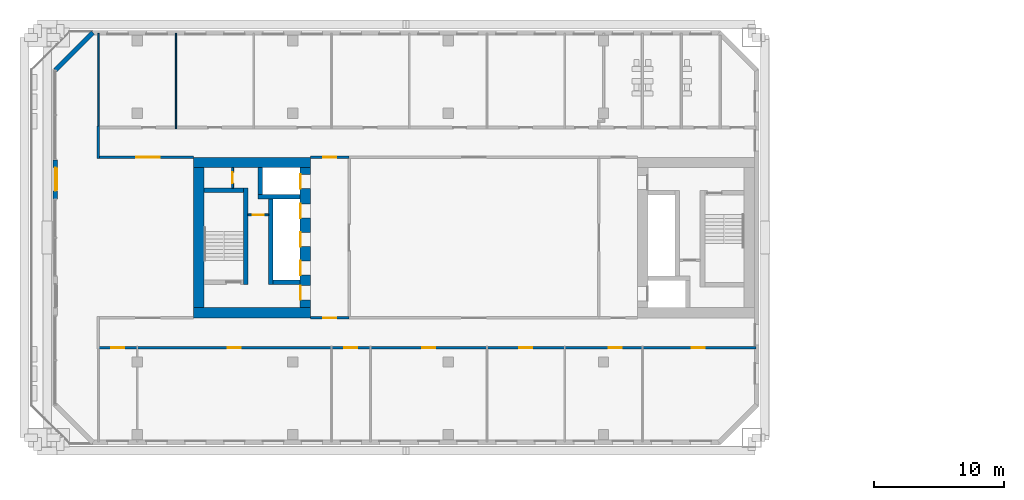
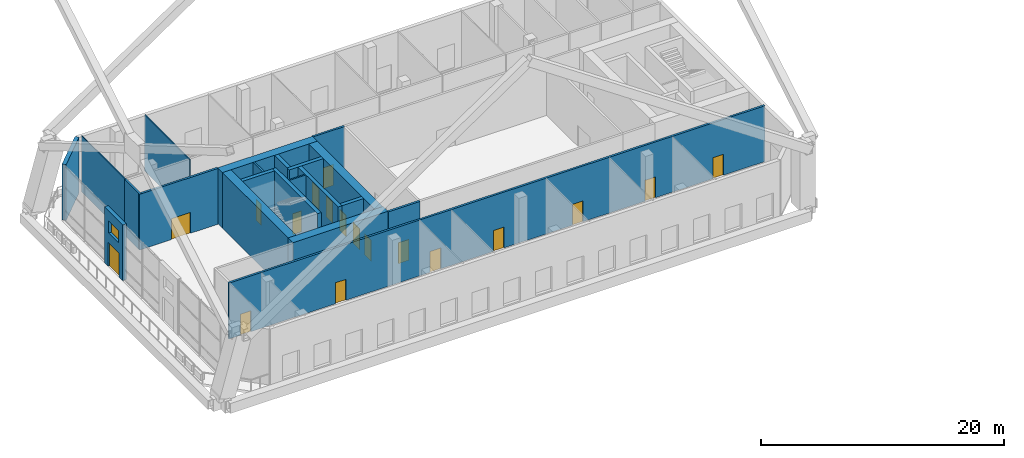
# One storey, part 10 of 20: 21 walls, 18 doors, 1 window, 19 openings.
"""IFC4 building model written with IfcOpenShell, lengths in metres."""

from ifc_helpers import new_model, si_unit, direction, frame, frame_2d, origin, place, context, subcontext, project, spatial, rectangle, extrude, material, layer, layer_set, type_object, element, fill, save


model = new_model("IFC4")

# Units and contexts
model_context = context("Model", 3, precision=1e-05, world=origin(), true_north=direction((0.0, 1.0)))
body_context = subcontext(model_context, "Body", "Model", "MODEL_VIEW")
ifc_project = project(units=[si_unit("LENGTHUNIT", "METRE"), si_unit("AREAUNIT", "SQUARE_METRE"), si_unit("VOLUMEUNIT", "CUBIC_METRE"), si_unit("PLANEANGLEUNIT", "RADIAN"), si_unit("MASSUNIT", "GRAM", prefix="KILO")], contexts=[model_context])

# Site, building, storey
site_placement = place(None, origin())
site = spatial("IfcSite", under=ifc_project, at=site_placement, CompositionType="ELEMENT")
building_placement = place(site_placement, origin())
building = spatial("IfcBuilding", under=site, at=building_placement, Name="Tuart Gate Housing", CompositionType="ELEMENT")
storey_placement = place(building_placement, frame((0.0, 0.0, 38.10009765625)))
storey = spatial("IfcBuildingStorey", under=building, at=storey_placement, Name="L10", CompositionType="ELEMENT", Elevation=38.10009765625)

# Wall
ifc_material_1 = material(Name="Brick", Category="masonry")
ifc_layer_1 = layer(ifc_material_1, 0.360107421875)
ifc_layer_set_1 = layer_set([ifc_layer_1], Name="Brick pier and spandrel wall 360")
wall_type_1 = type_object("IfcWallType", Name="Brick pier and spandrel wall 360", PredefinedType="STANDARD", material=ifc_layer_set_1)
wall_1_placement = place(storey_placement, frame((24.57470703125, 85.820068359375, 0.0), z_axis=(0.0, 0.0, 1.0), x_axis=(-0.707106781187, -0.707106781187, 0.0)))
element("IfcWall", 1, at=wall_1_placement, inside=storey, type_object=wall_type_1, Name="External wall A-NW L10", PredefinedType="STANDARD", context=body_context, shape_type="SweptSolid", body=[
    extrude(rectangle(XDim=4.09375, YDim=0.360107421875, at=frame_2d((2.046875, 0.0))), origin(), (0.0, 0.0, 1.0), 5.599853515625),
])

# Wall, openings, door, window
wall_2_placement = place(storey_placement, frame((21.679931640625, 76.0, 0.0), z_axis=(0.0, 0.0, 1.0), x_axis=(0.0, -1.0, 0.0)))
wall_2 = element("IfcWall", 2, at=wall_2_placement, inside=storey, type_object=wall_type_1, Name="External wall A-W L10", PredefinedType="STANDARD", context=body_context, shape_type="SweptSolid", body=[
    extrude(rectangle(XDim=3.0, YDim=0.360107421875, at=frame_2d((1.5, 0.0))), origin(), (0.0, 0.0, 1.0), 5.599853515625),
])
opening_1_placement = place(wall_2_placement, frame((0.699951171875, 0.0, 3.39990234375)))
opening_1 = element("IfcOpeningElement", 3, at=opening_1_placement, cuts=wall_2, Name="Opening W3", PredefinedType="OPENING", context=body_context, shape_type="SweptSolid", body=[
    extrude(rectangle(XDim=1.60009765625, YDim=1.199951171875, at=frame_2d((0.800048828125, 0.60009765625))), frame((0.0, 0.18994140625, 0.0), z_axis=(0.0, -1.0, 0.0), x_axis=(1.0, 0.0, 0.0)), (0.0, 0.0, 1.0), 0.380126953125),
])
opening_2_placement = place(wall_2_placement, frame((0.60009765625, 0.0, 0.0)))
opening_2 = element("IfcOpeningElement", 4, at=opening_2_placement, cuts=wall_2, Name="Opening D2798", PredefinedType="OPENING", context=body_context, shape_type="SweptSolid", body=[
    extrude(rectangle(XDim=1.800048828125, YDim=2.39990234375, at=frame_2d((0.89990234375, 1.199951171875))), frame((0.0, 0.18994140625, 0.0), z_axis=(0.0, -1.0, 0.0), x_axis=(1.0, 0.0, 0.0)), (0.0, 0.0, 1.0), 0.380126953125),
])
ifc_material_2 = material(Name="Aluminium framed glazed door", Category="aluminium")
door_type_1 = type_object("IfcDoorType", Name="Entrance door 1800 x 2400", OperationType="DOUBLE_DOOR_SINGLE_SWING", PredefinedType="DOOR", material=ifc_material_2)
door_1_placement = place(opening_2_placement, frame((1.800048828125, 0.0, 0.0), z_axis=(0.0, 0.0, 1.0), x_axis=(-1.0, 0.0, 0.0)))
door_1 = element("IfcDoor", 5, at=door_1_placement, inside=storey, type_object=door_type_1, Name="Leg A terrace door L10 1", OperationType="DOUBLE_DOOR_SINGLE_SWING", OverallHeight=2.39990234375, OverallWidth=1.800048828125, PredefinedType="DOOR", context=body_context, shape_type="SweptSolid", body=[
    extrude(rectangle(XDim=1.800048828125, YDim=2.39990234375, at=frame_2d((0.900146484375, 1.199951171875))), frame((0.0, 0.025146484375, 0.0), z_axis=(0.0, -1.0, 0.0), x_axis=(1.0, 0.0, 0.0)), (0.0, 0.0, 1.0), 0.050048828125),
])
fill(opening_2, door_1)
ifc_material_3 = material(Name="Aluminium louvre blades", Category="aluminium")
window_type = type_object("IfcWindowType", Name="Louvre window 1600 x 1200", PartitioningType="DOUBLE_PANEL_HORIZONTAL", PredefinedType="WINDOW", material=ifc_material_3)
window_placement = place(opening_1_placement, origin())
window = element("IfcWindow", 6, at=window_placement, inside=storey, type_object=window_type, Name="Louvre W3", OverallHeight=1.199951171875, OverallWidth=1.60009765625, PartitioningType="DOUBLE_PANEL_HORIZONTAL", PredefinedType="WINDOW", context=body_context, shape_type="SweptSolid", body=[
    extrude(rectangle(XDim=1.60009765625, YDim=1.199951171875, at=frame_2d((0.800048828125, 0.60009765625))), frame((0.0, 0.150146484375, 0.0), z_axis=(0.0, -1.0, 0.0), x_axis=(1.0, 0.0, 0.0)), (0.0, 0.0, 1.0), 0.06005859375),
])
fill(opening_1, window)

# Wall, opening, door
ifc_material_4 = material(Name="Plasterboard partition")
ifc_layer_2 = layer(ifc_material_4, 0.14990234375)
ifc_layer_set_2 = layer_set([ifc_layer_2], Name="Core partition 150")
wall_type_2 = type_object("IfcWallType", Name="Core partition 150", PredefinedType="PARTITIONING", material=ifc_layer_set_2)
wall_3_placement = place(storey_placement, frame((38.135009765625, 71.75, 0.0), z_axis=(0.0, 0.0, 1.0), x_axis=(-1.0, 0.0, 0.0)))
wall_3 = element("IfcWall", 7, at=wall_3_placement, inside=storey, type_object=wall_type_2, Name="Core partition AK.3", PredefinedType="PARTITIONING", context=body_context, shape_type="SweptSolid", body=[
    extrude(rectangle(XDim=1.60009765625, YDim=0.14990234375, at=frame_2d((0.800048828125, 0.0))), origin(), (0.0, 0.0, 1.0), 5.599853515625),
])
opening_3_placement = place(wall_3_placement, frame((0.375, 0.0, 0.0)))
opening_3 = element("IfcOpeningElement", 8, at=opening_3_placement, cuts=wall_3, Name="Opening D2800", PredefinedType="OPENING", context=body_context, shape_type="SweptSolid", body=[
    extrude(rectangle(XDim=0.85009765625, YDim=2.10009765625, at=frame_2d((0.425048828125, 1.050048828125))), frame((0.0, 0.0849609375, 0.0), z_axis=(0.0, -1.0, 0.0), x_axis=(1.0, 0.0, 0.0)), (0.0, 0.0, 1.0), 0.169921875),
])
ifc_material_5 = material(Name="Steel fire door", Category="steel")
door_type_2 = type_object("IfcDoorType", Name="Riser door 850 x 2100 RH", OperationType="SINGLE_SWING_RIGHT", PredefinedType="DOOR", material=ifc_material_5)
door_2_placement = place(opening_3_placement, frame((0.85009765625, 0.0, 0.0), z_axis=(0.0, 0.0, 1.0), x_axis=(-1.0, 0.0, 0.0)))
door_2 = element("IfcDoor", 9, at=door_2_placement, inside=storey, type_object=door_type_2, Name="Service room door AK.E1", OperationType="SINGLE_SWING_RIGHT", OverallHeight=2.10009765625, OverallWidth=0.85009765625, PredefinedType="DOOR", context=body_context, shape_type="SweptSolid", body=[
    extrude(rectangle(XDim=0.85009765625, YDim=2.10009765625, at=frame_2d((0.425048828125, 1.050048828125))), frame((0.0, 0.025146484375, 0.0), z_axis=(0.0, -1.0, 0.0), x_axis=(1.0, 0.0, 0.0)), (0.0, 0.0, 1.0), 0.050048828125),
])
fill(opening_3, door_2)

wall_4_placement = place(storey_placement, frame((35.360107421875, 75.39990234375, 0.0), z_axis=(0.0, 0.0, 1.0), x_axis=(0.0, -1.0, 0.0)))
wall_4 = element("IfcWall", 10, at=wall_4_placement, inside=storey, type_object=wall_type_2, Name="Core partition AK.9", PredefinedType="PARTITIONING", context=body_context, shape_type="SweptSolid", body=[
    extrude(rectangle(XDim=1.574951171875, YDim=0.14990234375, at=frame_2d((0.78759765625, 0.0))), origin(), (0.0, 0.0, 1.0), 5.599853515625),
])
opening_4_placement = place(wall_4_placement, frame((0.362548828125, 0.0, 0.0)))
opening_4 = element("IfcOpeningElement", 11, at=opening_4_placement, cuts=wall_4, Name="Opening D2797", PredefinedType="OPENING", context=body_context, shape_type="SweptSolid", body=[
    extrude(rectangle(XDim=0.85009765625, YDim=2.10009765625, at=frame_2d((0.425048828125, 1.050048828125))), frame((0.0, 0.0849609375, 0.0), z_axis=(0.0, -1.0, 0.0), x_axis=(1.0, 0.0, 0.0)), (0.0, 0.0, 1.0), 0.169921875),
])
ifc_material_6 = material(Name="Steel fire door", Category="steel")
door_type_3 = type_object("IfcDoorType", Name="Service door 850 x 2100", OperationType="SINGLE_SWING_LEFT", PredefinedType="DOOR", material=ifc_material_6)
door_3_placement = place(opening_4_placement, origin())
door_3 = element("IfcDoor", 12, at=door_3_placement, inside=storey, type_object=door_type_3, Name="Service room door AK.E2", OperationType="SINGLE_SWING_LEFT", OverallHeight=2.10009765625, OverallWidth=0.85009765625, PredefinedType="DOOR", context=body_context, shape_type="SweptSolid", body=[
    extrude(rectangle(XDim=0.85009765625, YDim=2.10009765625, at=frame_2d((0.425048828125, 1.050048828125))), frame((0.0, 0.02490234375, 0.0), z_axis=(0.0, -1.0, 0.0), x_axis=(1.0, 0.0, 0.0)), (0.0, 0.0, 1.0), 0.050048828125),
])
fill(opening_4, door_3)

# Walls
ifc_material_7 = material(Name="Concrete C60", Category="concrete")
ifc_layer_3 = layer(ifc_material_7, 0.35009765625)
ifc_layer_set_3 = layer_set([ifc_layer_3], Name="Core wall 350 C60")
wall_type_3 = type_object("IfcWallType", Name="Core wall 350 C60", PredefinedType="SHEAR", material=ifc_layer_set_3)
wall_5_placement = place(storey_placement, frame((36.18505859375, 73.64990234375, 0.0), z_axis=(0.0, 0.0, 1.0), x_axis=(-1.0, 0.0, 0.0)))
element("IfcWall", 13, at=wall_5_placement, inside=storey, type_object=wall_type_3, Name="Core wall AK.1", PredefinedType="SHEAR", context=body_context, shape_type="SweptSolid", body=[
    extrude(rectangle(XDim=3.025146484375, YDim=0.35009765625, at=frame_2d((1.5126953125, 0.0))), origin(), (0.0, 0.0, 1.0), 5.599853515625),
])
wall_6_placement = place(storey_placement, frame((40.56005859375, 73.14990234375, 0.0), z_axis=(0.0, 0.0, 1.0), x_axis=(-1.0, 0.0, 0.0)))
element("IfcWall", 14, at=wall_6_placement, inside=storey, type_object=wall_type_3, Name="Core wall AK.2", PredefinedType="SHEAR", context=body_context, shape_type="SweptSolid", body=[
    extrude(rectangle(XDim=3.2451171875, YDim=0.35009765625, at=frame_2d((1.62255859375, 0.0))), origin(), (0.0, 0.0, 1.0), 5.599853515625),
])
wall_7_placement = place(storey_placement, frame((40.56005859375, 66.550048828125, 0.0), z_axis=(0.0, 0.0, 1.0), x_axis=(-1.0, 0.0, 0.0)))
element("IfcWall", 15, at=wall_7_placement, inside=storey, type_object=wall_type_3, Name="Core wall AK.4", PredefinedType="SHEAR", context=body_context, shape_type="SweptSolid", body=[
    extrude(rectangle(XDim=2.074951171875, YDim=0.35009765625, at=frame_2d((1.03759765625, 0.0))), origin(), (0.0, 0.0, 1.0), 5.599853515625),
])
wall_8_placement = place(storey_placement, frame((38.31005859375, 72.97509765625, 0.0), z_axis=(0.0, 0.0, 1.0), x_axis=(0.0, -1.0, 0.0)))
element("IfcWall", 16, at=wall_8_placement, inside=storey, type_object=wall_type_3, Name="Core wall AK.6", PredefinedType="SHEAR", context=body_context, shape_type="SweptSolid", body=[
    extrude(rectangle(XDim=6.60009765625, YDim=0.35009765625, at=frame_2d((3.300048828125, 0.0))), origin(), (0.0, 0.0, 1.0), 5.599853515625),
])
wall_9_placement = place(storey_placement, frame((37.489990234375, 75.39990234375, 0.0), z_axis=(0.0, 0.0, 1.0), x_axis=(0.0, -1.0, 0.0)))
element("IfcWall", 17, at=wall_9_placement, inside=storey, type_object=wall_type_3, Name="Core wall AK.7", PredefinedType="SHEAR", context=body_context, shape_type="SweptSolid", body=[
    extrude(rectangle(XDim=2.074951171875, YDim=0.35009765625, at=frame_2d((1.03759765625, 0.0))), origin(), (0.0, 0.0, 1.0), 5.599853515625),
])
wall_10_placement = place(storey_placement, frame((36.360107421875, 73.824951171875, 0.0), z_axis=(0.0, 0.0, 1.0), x_axis=(0.0, -1.0, 0.0)))
element("IfcWall", 18, at=wall_10_placement, inside=storey, type_object=wall_type_3, Name="Core wall AK.8", PredefinedType="SHEAR", context=body_context, shape_type="SweptSolid", body=[
    extrude(rectangle(XDim=7.449951171875, YDim=0.35009765625, at=frame_2d((3.72509765625, 0.0))), origin(), (0.0, 0.0, 1.0), 5.599853515625),
])

# Wall, openings, doors
ifc_material_8 = material(Name="Concrete C60", Category="concrete")
ifc_layer_4 = layer(ifc_material_8, 0.800048828125)
ifc_layer_set_4 = layer_set([ifc_layer_4], Name="Core wall 800 C60")
wall_type_4 = type_object("IfcWallType", Name="Core wall 800 C60", PredefinedType="SHEAR", material=ifc_layer_set_4)
wall_11_placement = place(storey_placement, frame((40.9599609375, 75.39990234375, 0.0), z_axis=(0.0, 0.0, 1.0), x_axis=(0.0, -1.0, 0.0)))
wall_11 = element("IfcWall", 19, at=wall_11_placement, inside=storey, type_object=wall_type_4, Name="Core wall AK front", PredefinedType="SHEAR", context=body_context, shape_type="SweptSolid", body=[
    extrude(rectangle(XDim=10.7998046875, YDim=0.800048828125, at=frame_2d((5.39990234375, 0.0))), origin(), (0.0, 0.0, 1.0), 5.599853515625),
])
opening_5_placement = place(wall_11_placement, frame((0.52490234375, 0.0, 0.0)))
opening_5 = element("IfcOpeningElement", 20, at=opening_5_placement, cuts=wall_11, Name="Opening LD-FA2", PredefinedType="OPENING", context=body_context, shape_type="SweptSolid", body=[
    extrude(rectangle(XDim=1.10009765625, YDim=2.10009765625, at=frame_2d((0.550048828125, 1.050048828125))), frame((0.0, 0.409912109375, 0.0), z_axis=(0.0, -1.0, 0.0), x_axis=(1.0, 0.0, 0.0)), (0.0, 0.0, 1.0), 0.820068359375),
])
opening_6_placement = place(wall_11_placement, frame((2.800048828125, 0.0, 0.0)))
opening_6 = element("IfcOpeningElement", 21, at=opening_6_placement, cuts=wall_11, Name="Opening LD-LA4", PredefinedType="OPENING", context=body_context, shape_type="SweptSolid", body=[
    extrude(rectangle(XDim=1.10009765625, YDim=2.10009765625, at=frame_2d((0.550048828125, 1.050048828125))), frame((0.0, 0.409912109375, 0.0), z_axis=(0.0, -1.0, 0.0), x_axis=(1.0, 0.0, 0.0)), (0.0, 0.0, 1.0), 0.820068359375),
])
opening_7_placement = place(wall_11_placement, frame((5.0, 0.0, 0.0)))
opening_7 = element("IfcOpeningElement", 22, at=opening_7_placement, cuts=wall_11, Name="Opening LD-LA5", PredefinedType="OPENING", context=body_context, shape_type="SweptSolid", body=[
    extrude(rectangle(XDim=1.10009765625, YDim=2.10009765625, at=frame_2d((0.550048828125, 1.050048828125))), frame((0.0, 0.409912109375, 0.0), z_axis=(0.0, -1.0, 0.0), x_axis=(1.0, 0.0, 0.0)), (0.0, 0.0, 1.0), 0.820068359375),
])
opening_8_placement = place(wall_11_placement, frame((7.199951171875, 0.0, 0.0)))
opening_8 = element("IfcOpeningElement", 23, at=opening_8_placement, cuts=wall_11, Name="Opening LD-LA6", PredefinedType="OPENING", context=body_context, shape_type="SweptSolid", body=[
    extrude(rectangle(XDim=1.10009765625, YDim=2.10009765625, at=frame_2d((0.550048828125, 1.050048828125))), frame((0.0, 0.409912109375, 0.0), z_axis=(0.0, -1.0, 0.0), x_axis=(1.0, 0.0, 0.0)), (0.0, 0.0, 1.0), 0.820068359375),
])
opening_9_placement = place(wall_11_placement, frame((9.10009765625, 0.0, 0.0)))
opening_9 = element("IfcOpeningElement", 24, at=opening_9_placement, cuts=wall_11, Name="Opening D2801", PredefinedType="OPENING", context=body_context, shape_type="SweptSolid", body=[
    extrude(rectangle(XDim=1.10009765625, YDim=2.10009765625, at=frame_2d((0.550048828125, 1.050048828125))), frame((0.0, 0.409912109375, 0.0), z_axis=(0.0, -1.0, 0.0), x_axis=(1.0, 0.0, 0.0)), (0.0, 0.0, 1.0), 0.820068359375),
])
ifc_material_9 = material(Name="Stainless steel", Category="steel")
door_type_4 = type_object("IfcDoorType", Name="Landing door 1100 x 2100", OperationType="DOUBLE_DOOR_SLIDING", PredefinedType="DOOR", material=ifc_material_9)
door_4_placement = place(opening_5_placement, origin())
door_4 = element("IfcDoor", 25, at=door_4_placement, inside=storey, type_object=door_type_4, Name="Lift landing door FA2", OperationType="DOUBLE_DOOR_SLIDING", OverallHeight=2.10009765625, OverallWidth=1.10009765625, PredefinedType="DOOR", context=body_context, shape_type="SweptSolid", body=[
    extrude(rectangle(XDim=1.10009765625, YDim=2.10009765625, at=frame_2d((0.550048828125, 1.050048828125))), frame((0.0, -0.3349609375, 0.0), z_axis=(0.0, -1.0, 0.0), x_axis=(1.0, 0.0, 0.0)), (0.0, 0.0, 1.0), 0.050048828125),
])
fill(opening_5, door_4)
door_5_placement = place(opening_6_placement, origin())
door_5 = element("IfcDoor", 26, at=door_5_placement, inside=storey, type_object=door_type_4, Name="Lift landing door LA4", OperationType="DOUBLE_DOOR_SLIDING", OverallHeight=2.10009765625, OverallWidth=1.10009765625, PredefinedType="DOOR", context=body_context, shape_type="SweptSolid", body=[
    extrude(rectangle(XDim=1.10009765625, YDim=2.10009765625, at=frame_2d((0.550048828125, 1.050048828125))), frame((0.0, -0.3349609375, 0.0), z_axis=(0.0, -1.0, 0.0), x_axis=(1.0, 0.0, 0.0)), (0.0, 0.0, 1.0), 0.050048828125),
])
fill(opening_6, door_5)
door_6_placement = place(opening_7_placement, origin())
door_6 = element("IfcDoor", 27, at=door_6_placement, inside=storey, type_object=door_type_4, Name="Lift landing door LA5", OperationType="DOUBLE_DOOR_SLIDING", OverallHeight=2.10009765625, OverallWidth=1.10009765625, PredefinedType="DOOR", context=body_context, shape_type="SweptSolid", body=[
    extrude(rectangle(XDim=1.10009765625, YDim=2.10009765625, at=frame_2d((0.550048828125, 1.050048828125))), frame((0.0, -0.3349609375, 0.0), z_axis=(0.0, -1.0, 0.0), x_axis=(1.0, 0.0, 0.0)), (0.0, 0.0, 1.0), 0.050048828125),
])
fill(opening_7, door_6)
door_7_placement = place(opening_8_placement, origin())
door_7 = element("IfcDoor", 28, at=door_7_placement, inside=storey, type_object=door_type_4, Name="Lift landing door LA6", OperationType="DOUBLE_DOOR_SLIDING", OverallHeight=2.10009765625, OverallWidth=1.10009765625, PredefinedType="DOOR", context=body_context, shape_type="SweptSolid", body=[
    extrude(rectangle(XDim=1.10009765625, YDim=2.10009765625, at=frame_2d((0.550048828125, 1.050048828125))), frame((0.0, -0.3349609375, 0.0), z_axis=(0.0, -1.0, 0.0), x_axis=(1.0, 0.0, 0.0)), (0.0, 0.0, 1.0), 0.050048828125),
])
fill(opening_8, door_7)
ifc_material_10 = material(Name="Steel fire door", Category="steel")
door_type_5 = type_object("IfcDoorType", Name="Lobby door 1100 x 2100 RH", OperationType="SINGLE_SWING_RIGHT", PredefinedType="DOOR", material=ifc_material_10)
door_8_placement = place(opening_9_placement, frame((1.10009765625, 0.0, 0.0), z_axis=(0.0, 0.0, 1.0), x_axis=(-1.0, 0.0, 0.0)))
door_8 = element("IfcDoor", 29, at=door_8_placement, inside=storey, type_object=door_type_5, Name="Lobby entry door AK.EN", OperationType="SINGLE_SWING_RIGHT", OverallHeight=2.10009765625, OverallWidth=1.10009765625, PredefinedType="DOOR", context=body_context, shape_type="SweptSolid", body=[
    extrude(rectangle(XDim=1.10009765625, YDim=2.10009765625, at=frame_2d((0.550048828125, 1.050048828125))), frame((0.0, 0.385009765625, 0.0), z_axis=(0.0, -1.0, 0.0), x_axis=(1.0, 0.0, 0.0)), (0.0, 0.0, 1.0), 0.050048828125),
])
fill(opening_9, door_8)

# Walls
wall_12_placement = place(storey_placement, frame((32.760009765625, 75.39990234375, 0.0), z_axis=(0.0, 0.0, 1.0), x_axis=(0.0, -1.0, 0.0)))
element("IfcWall", 30, at=wall_12_placement, inside=storey, type_object=wall_type_4, Name="Core wall AK back", PredefinedType="SHEAR", context=body_context, shape_type="SweptSolid", body=[
    extrude(rectangle(XDim=10.7998046875, YDim=0.800048828125, at=frame_2d((5.39990234375, 0.0))), origin(), (0.0, 0.0, 1.0), 5.599853515625),
])
for number, where, z_axis, x_axis, name in (
    (31, (41.360107421875, 75.800048828125, 0.0), (0.0, 0.0, 1.0), (-1.0, 0.0, 0.0), "Core wall AK south"),
    (32, (41.360107421875, 64.199951171875, 0.0), (0.0, 0.0, 1.0), (-1.0, 0.0, 0.0), "Core wall AK north"),
):
    element("IfcWall", number, at=place(storey_placement, frame(where, z_axis=z_axis, x_axis=x_axis)), inside=storey, type_object=wall_type_4, Name=name, PredefinedType="SHEAR", context=body_context, shape_type="SweptSolid", body=[
        extrude(rectangle(XDim=9.0, YDim=0.800048828125, at=frame_2d((4.5, 0.0))), origin(), (0.0, 0.0, 1.0), 5.599853515625),
    ])

# Wall, openings, doors
ifc_material_11 = material(Name="Concrete masonry 15 MPa", Category="masonry")
ifc_layer_5 = layer(ifc_material_11, 0.199951171875)
ifc_layer_set_5 = layer_set([ifc_layer_5], Name="Corridor wall masonry 200")
wall_type_5 = type_object("IfcWallType", Name="Corridor wall masonry 200", PredefinedType="PARTITIONING", material=ifc_layer_set_5)
wall_13_placement = place(storey_placement, frame((24.89990234375, 61.5, 0.0), z_axis=(0.0, 0.0, 1.0), x_axis=(1.0, 0.0, 0.0)))
wall_13 = element("IfcWall", 33, at=wall_13_placement, inside=storey, type_object=wall_type_5, Name="Corridor wall masonry 200", PredefinedType="PARTITIONING", context=body_context, shape_type="SweptSolid", body=[
    extrude(rectangle(XDim=50.860107421875, YDim=0.199951171875, at=frame_2d((25.43017578125, 0.0))), origin(), (0.0, 0.0, 1.0), 5.599853515625),
])
opening_10_placement = place(wall_13_placement, frame((1.10009765625, 0.0, 0.0)))
opening_10 = element("IfcOpeningElement", 34, at=opening_10_placement, cuts=wall_13, Name="Opening D2812", PredefinedType="OPENING", context=body_context, shape_type="SweptSolid", body=[
    extrude(rectangle(XDim=1.0, YDim=2.10009765625, at=frame_2d((0.5, 1.050048828125))), frame((0.0, 0.10986328125, 0.0), z_axis=(0.0, -1.0, 0.0), x_axis=(1.0, 0.0, 0.0)), (0.0, 0.0, 1.0), 0.219970703125),
])
opening_11_placement = place(wall_13_placement, frame((10.10009765625, 0.0, 0.0)))
opening_11 = element("IfcOpeningElement", 35, at=opening_11_placement, cuts=wall_13, Name="Opening D2813", PredefinedType="OPENING", context=body_context, shape_type="SweptSolid", body=[
    extrude(rectangle(XDim=1.0, YDim=2.10009765625, at=frame_2d((0.5, 1.050048828125))), frame((0.0, 0.10986328125, 0.0), z_axis=(0.0, -1.0, 0.0), x_axis=(1.0, 0.0, 0.0)), (0.0, 0.0, 1.0), 0.219970703125),
])
opening_12_placement = place(wall_13_placement, frame((19.10009765625, 0.0, 0.0)))
opening_12 = element("IfcOpeningElement", 36, at=opening_12_placement, cuts=wall_13, Name="Opening D2814", PredefinedType="OPENING", context=body_context, shape_type="SweptSolid", body=[
    extrude(rectangle(XDim=1.0, YDim=2.10009765625, at=frame_2d((0.5, 1.050048828125))), frame((0.0, 0.10986328125, 0.0), z_axis=(0.0, -1.0, 0.0), x_axis=(1.0, 0.0, 0.0)), (0.0, 0.0, 1.0), 0.219970703125),
])
opening_13_placement = place(wall_13_placement, frame((25.10009765625, 0.0, 0.0)))
opening_13 = element("IfcOpeningElement", 37, at=opening_13_placement, cuts=wall_13, Name="Opening D2815", PredefinedType="OPENING", context=body_context, shape_type="SweptSolid", body=[
    extrude(rectangle(XDim=1.0, YDim=2.10009765625, at=frame_2d((0.5, 1.050048828125))), frame((0.0, 0.10986328125, 0.0), z_axis=(0.0, -1.0, 0.0), x_axis=(1.0, 0.0, 0.0)), (0.0, 0.0, 1.0), 0.219970703125),
])
opening_14_placement = place(wall_13_placement, frame((32.60009765625, 0.0, 0.0)))
opening_14 = element("IfcOpeningElement", 38, at=opening_14_placement, cuts=wall_13, Name="Opening D2816", PredefinedType="OPENING", context=body_context, shape_type="SweptSolid", body=[
    extrude(rectangle(XDim=1.0, YDim=2.10009765625, at=frame_2d((0.5, 1.050048828125))), frame((0.0, 0.10986328125, 0.0), z_axis=(0.0, -1.0, 0.0), x_axis=(1.0, 0.0, 0.0)), (0.0, 0.0, 1.0), 0.219970703125),
])
opening_15_placement = place(wall_13_placement, frame((39.5, 0.0, 0.0)))
opening_15 = element("IfcOpeningElement", 39, at=opening_15_placement, cuts=wall_13, Name="Opening D2817", PredefinedType="OPENING", context=body_context, shape_type="SweptSolid", body=[
    extrude(rectangle(XDim=1.0, YDim=2.10009765625, at=frame_2d((0.5, 1.050048828125))), frame((0.0, 0.10986328125, 0.0), z_axis=(0.0, -1.0, 0.0), x_axis=(1.0, 0.0, 0.0)), (0.0, 0.0, 1.0), 0.219970703125),
])
opening_16_placement = place(wall_13_placement, frame((45.919921875, 0.0, 0.0)))
opening_16 = element("IfcOpeningElement", 40, at=opening_16_placement, cuts=wall_13, Name="Opening D2818", PredefinedType="OPENING", context=body_context, shape_type="SweptSolid", body=[
    extrude(rectangle(XDim=1.0, YDim=2.10009765625, at=frame_2d((0.5, 1.050048828125))), frame((0.0, 0.10986328125, 0.0), z_axis=(0.0, -1.0, 0.0), x_axis=(1.0, 0.0, 0.0)), (0.0, 0.0, 1.0), 0.219970703125),
])
ifc_material_12 = material(Name="Timber door leaf in steel frame", Category="steel")
door_type_6 = type_object("IfcDoorType", Name="Fire door 1000", OperationType="SINGLE_SWING_LEFT", PredefinedType="DOOR", material=ifc_material_12)
door_9_placement = place(opening_15_placement, frame((1.0, 0.0, 0.0), z_axis=(0.0, 0.0, 1.0), x_axis=(-1.0, 0.0, 0.0)))
door_9 = element("IfcDoor", 41, at=door_9_placement, inside=storey, type_object=door_type_6, Name="Fire door 1000", OperationType="SINGLE_SWING_LEFT", OverallHeight=2.10009765625, OverallWidth=1.0, PredefinedType="DOOR", context=body_context, shape_type="SweptSolid", body=[
    extrude(rectangle(XDim=1.0, YDim=2.10009765625, at=frame_2d((0.5, 1.050048828125))), frame((0.0, 0.025146484375, 0.0), z_axis=(0.0, -1.0, 0.0), x_axis=(1.0, 0.0, 0.0)), (0.0, 0.0, 1.0), 0.050048828125),
])
fill(opening_15, door_9)
ifc_material_13 = material(Name="Timber door leaf in steel frame", Category="steel")
door_type_7 = type_object("IfcDoorType", Name="Fire door 1000 RH", OperationType="SINGLE_SWING_RIGHT", PredefinedType="DOOR", material=ifc_material_13)
door_10_placement = place(opening_10_placement, frame((1.0, 0.0, 0.0), z_axis=(0.0, 0.0, 1.0), x_axis=(-1.0, 0.0, 0.0)))
door_10 = element("IfcDoor", 42, at=door_10_placement, inside=storey, type_object=door_type_7, Name="Fire door 1000", OperationType="SINGLE_SWING_RIGHT", OverallHeight=2.10009765625, OverallWidth=1.0, PredefinedType="DOOR", context=body_context, shape_type="SweptSolid", body=[
    extrude(rectangle(XDim=1.0, YDim=2.10009765625, at=frame_2d((0.5, 1.050048828125))), frame((0.0, 0.025146484375, 0.0), z_axis=(0.0, -1.0, 0.0), x_axis=(1.0, 0.0, 0.0)), (0.0, 0.0, 1.0), 0.050048828125),
])
fill(opening_10, door_10)
door_11_placement = place(opening_11_placement, frame((1.0, 0.0, 0.0), z_axis=(0.0, 0.0, 1.0), x_axis=(-1.0, 0.0, 0.0)))
door_11 = element("IfcDoor", 43, at=door_11_placement, inside=storey, type_object=door_type_7, Name="Fire door 1000", OperationType="SINGLE_SWING_RIGHT", OverallHeight=2.10009765625, OverallWidth=1.0, PredefinedType="DOOR", context=body_context, shape_type="SweptSolid", body=[
    extrude(rectangle(XDim=1.0, YDim=2.10009765625, at=frame_2d((0.5, 1.050048828125))), frame((0.0, 0.025146484375, 0.0), z_axis=(0.0, -1.0, 0.0), x_axis=(1.0, 0.0, 0.0)), (0.0, 0.0, 1.0), 0.050048828125),
])
fill(opening_11, door_11)
door_12_placement = place(opening_12_placement, frame((1.0, 0.0, 0.0), z_axis=(0.0, 0.0, 1.0), x_axis=(-1.0, 0.0, 0.0)))
door_12 = element("IfcDoor", 44, at=door_12_placement, inside=storey, type_object=door_type_7, Name="Fire door 1000", OperationType="SINGLE_SWING_RIGHT", OverallHeight=2.10009765625, OverallWidth=1.0, PredefinedType="DOOR", context=body_context, shape_type="SweptSolid", body=[
    extrude(rectangle(XDim=1.0, YDim=2.10009765625, at=frame_2d((0.5, 1.050048828125))), frame((0.0, 0.025146484375, 0.0), z_axis=(0.0, -1.0, 0.0), x_axis=(1.0, 0.0, 0.0)), (0.0, 0.0, 1.0), 0.050048828125),
])
fill(opening_12, door_12)
door_13_placement = place(opening_13_placement, frame((1.0, 0.0, 0.0), z_axis=(0.0, 0.0, 1.0), x_axis=(-1.0, 0.0, 0.0)))
door_13 = element("IfcDoor", 45, at=door_13_placement, inside=storey, type_object=door_type_7, Name="Fire door 1000", OperationType="SINGLE_SWING_RIGHT", OverallHeight=2.10009765625, OverallWidth=1.0, PredefinedType="DOOR", context=body_context, shape_type="SweptSolid", body=[
    extrude(rectangle(XDim=1.0, YDim=2.10009765625, at=frame_2d((0.5, 1.050048828125))), frame((0.0, 0.025146484375, 0.0), z_axis=(0.0, -1.0, 0.0), x_axis=(1.0, 0.0, 0.0)), (0.0, 0.0, 1.0), 0.050048828125),
])
fill(opening_13, door_13)
door_14_placement = place(opening_14_placement, frame((1.0, 0.0, 0.0), z_axis=(0.0, 0.0, 1.0), x_axis=(-1.0, 0.0, 0.0)))
door_14 = element("IfcDoor", 46, at=door_14_placement, inside=storey, type_object=door_type_7, Name="Fire door 1000", OperationType="SINGLE_SWING_RIGHT", OverallHeight=2.10009765625, OverallWidth=1.0, PredefinedType="DOOR", context=body_context, shape_type="SweptSolid", body=[
    extrude(rectangle(XDim=1.0, YDim=2.10009765625, at=frame_2d((0.5, 1.050048828125))), frame((0.0, 0.025146484375, 0.0), z_axis=(0.0, -1.0, 0.0), x_axis=(1.0, 0.0, 0.0)), (0.0, 0.0, 1.0), 0.050048828125),
])
fill(opening_14, door_14)
door_15_placement = place(opening_16_placement, origin())
door_15 = element("IfcDoor", 47, at=door_15_placement, inside=storey, type_object=door_type_7, Name="Fire door 1000", OperationType="SINGLE_SWING_RIGHT", OverallHeight=2.10009765625, OverallWidth=1.0, PredefinedType="DOOR", context=body_context, shape_type="SweptSolid", body=[
    extrude(rectangle(XDim=1.0, YDim=2.10009765625, at=frame_2d((0.5, 1.050048828125))), frame((0.0, 0.02490234375, 0.0), z_axis=(0.0, -1.0, 0.0), x_axis=(1.0, 0.0, 0.0)), (0.0, 0.0, 1.0), 0.050048828125),
])
fill(opening_16, door_15)

# Wall, opening, door
wall_14_placement = place(storey_placement, frame((24.89990234375, 76.199951171875, 0.0), z_axis=(0.0, 0.0, 1.0), x_axis=(1.0, 0.0, 0.0)))
wall_14 = element("IfcWall", 48, at=wall_14_placement, inside=storey, type_object=wall_type_5, Name="Corridor wall masonry 200", PredefinedType="PARTITIONING", context=body_context, shape_type="SweptSolid", body=[
    extrude(rectangle(XDim=7.460205078125, YDim=0.199951171875, at=frame_2d((3.72998046875, 0.0))), origin(), (0.0, 0.0, 1.0), 5.599853515625),
])
opening_17_placement = place(wall_14_placement, frame((3.030029296875, 0.0, 0.0)))
opening_17 = element("IfcOpeningElement", 49, at=opening_17_placement, cuts=wall_14, Name="Opening D2793", PredefinedType="OPENING", context=body_context, shape_type="SweptSolid", body=[
    extrude(rectangle(XDim=1.800048828125, YDim=2.10009765625, at=frame_2d((0.89990234375, 1.050048828125))), frame((0.0, 0.10986328125, 0.0), z_axis=(0.0, -1.0, 0.0), x_axis=(1.0, 0.0, 0.0)), (0.0, 0.0, 1.0), 0.219970703125),
])
ifc_material_14 = material(Name="Timber door leaf in steel frame", Category="steel")
door_type_8 = type_object("IfcDoorType", Name="Double door 1800", OperationType="DOUBLE_DOOR_SINGLE_SWING", PredefinedType="DOOR", material=ifc_material_14)
door_16_placement = place(opening_17_placement, frame((1.800048828125, 0.0, 0.0), z_axis=(0.0, 0.0, 1.0), x_axis=(-1.0, 0.0, 0.0)))
door_16 = element("IfcDoor", 50, at=door_16_placement, inside=storey, type_object=door_type_8, Name="Double door 1800", OperationType="DOUBLE_DOOR_SINGLE_SWING", OverallHeight=2.10009765625, OverallWidth=1.800048828125, PredefinedType="DOOR", context=body_context, shape_type="SweptSolid", body=[
    extrude(rectangle(XDim=1.800048828125, YDim=2.10009765625, at=frame_2d((0.900146484375, 1.050048828125))), frame((0.0, 0.025146484375, 0.0), z_axis=(0.0, -1.0, 0.0), x_axis=(1.0, 0.0, 0.0)), (0.0, 0.0, 1.0), 0.050048828125),
])
fill(opening_17, door_16)

# Wall
wall_15_placement = place(storey_placement, frame((25.0, 76.10009765625, 0.0), z_axis=(0.0, 0.0, 1.0), x_axis=(0.0, 1.0, 0.0)))
element("IfcWall", 51, at=wall_15_placement, inside=storey, type_object=wall_type_5, Name="Corridor wall masonry 200", PredefinedType="PARTITIONING", context=body_context, shape_type="SweptSolid", body=[
    extrude(rectangle(XDim=2.501953125, YDim=0.199951171875, at=frame_2d((1.2509765625, 0.0))), origin(), (0.0, 0.0, 1.0), 5.599853515625),
])

# Wall, opening, door
ifc_material_15 = material(Name="Concrete masonry 15 MPa", Category="masonry")
ifc_layer_6 = layer(ifc_material_15, 0.199951171875)
ifc_layer_set_6 = layer_set([ifc_layer_6], Name="Enclosure wall masonry 200")
wall_type_6 = type_object("IfcWallType", Name="Enclosure wall masonry 200", PredefinedType="PARTITIONING", material=ifc_layer_set_6)
wall_16_placement = place(storey_placement, frame((41.360107421875, 63.800048828125, 0.0), z_axis=(0.0, 0.0, 1.0), x_axis=(1.0, 0.0, 0.0)))
wall_16 = element("IfcWall", 52, at=wall_16_placement, inside=storey, type_object=wall_type_6, Name="Enclosure wall masonry 200", PredefinedType="PARTITIONING", context=body_context, shape_type="SweptSolid", body=[
    extrude(rectangle(XDim=3.0, YDim=0.199951171875, at=frame_2d((1.5, 0.0))), origin(), (0.0, 0.0, 1.0), 5.599853515625),
])
opening_18_placement = place(wall_16_placement, frame((1.0, 0.0, 0.0)))
opening_18 = element("IfcOpeningElement", 53, at=opening_18_placement, cuts=wall_16, Name="Opening D2809", PredefinedType="OPENING", context=body_context, shape_type="SweptSolid", body=[
    extrude(rectangle(XDim=1.0, YDim=2.10009765625, at=frame_2d((0.5, 1.050048828125))), frame((0.0, 0.10986328125, 0.0), z_axis=(0.0, -1.0, 0.0), x_axis=(1.0, 0.0, 0.0)), (0.0, 0.0, 1.0), 0.219970703125),
])
ifc_material_16 = material(Name="Timber door leaf in steel frame", Category="steel")
door_type_9 = type_object("IfcDoorType", Name="Lobby door 1000 RH", OperationType="SINGLE_SWING_RIGHT", PredefinedType="DOOR", material=ifc_material_16)
door_17_placement = place(opening_18_placement, origin())
door_17 = element("IfcDoor", 54, at=door_17_placement, inside=storey, type_object=door_type_9, Name="Lobby door 1000", OperationType="SINGLE_SWING_RIGHT", OverallHeight=2.10009765625, OverallWidth=1.0, PredefinedType="DOOR", context=body_context, shape_type="SweptSolid", body=[
    extrude(rectangle(XDim=1.0, YDim=2.10009765625, at=frame_2d((0.5, 1.050048828125))), frame((0.0, 0.02490234375, 0.0), z_axis=(0.0, -1.0, 0.0), x_axis=(1.0, 0.0, 0.0)), (0.0, 0.0, 1.0), 0.050048828125),
])
fill(opening_18, door_17)

wall_17_placement = place(storey_placement, frame((41.360107421875, 76.199951171875, 0.0), z_axis=(0.0, 0.0, 1.0), x_axis=(1.0, 0.0, 0.0)))
wall_17 = element("IfcWall", 55, at=wall_17_placement, inside=storey, type_object=wall_type_6, Name="Enclosure wall masonry 200", PredefinedType="PARTITIONING", context=body_context, shape_type="SweptSolid", body=[
    extrude(rectangle(XDim=3.0, YDim=0.199951171875, at=frame_2d((1.5, 0.0))), origin(), (0.0, 0.0, 1.0), 5.599853515625),
])
opening_19_placement = place(wall_17_placement, frame((1.0, 0.0, 0.0)))
opening_19 = element("IfcOpeningElement", 56, at=opening_19_placement, cuts=wall_17, Name="Opening D2794", PredefinedType="OPENING", context=body_context, shape_type="SweptSolid", body=[
    extrude(rectangle(XDim=1.0, YDim=2.10009765625, at=frame_2d((0.5, 1.050048828125))), frame((0.0, 0.10986328125, 0.0), z_axis=(0.0, -1.0, 0.0), x_axis=(1.0, 0.0, 0.0)), (0.0, 0.0, 1.0), 0.219970703125),
])
ifc_material_17 = material(Name="Timber door leaf in steel frame", Category="steel")
door_type_10 = type_object("IfcDoorType", Name="Lobby door 1000", OperationType="SINGLE_SWING_LEFT", PredefinedType="DOOR", material=ifc_material_17)
door_18_placement = place(opening_19_placement, frame((1.0, 0.0, 0.0), z_axis=(0.0, 0.0, 1.0), x_axis=(-1.0, 0.0, 0.0)))
door_18 = element("IfcDoor", 57, at=door_18_placement, inside=storey, type_object=door_type_10, Name="Lobby door 1000", OperationType="SINGLE_SWING_LEFT", OverallHeight=2.10009765625, OverallWidth=1.0, PredefinedType="DOOR", context=body_context, shape_type="SweptSolid", body=[
    extrude(rectangle(XDim=1.0, YDim=2.10009765625, at=frame_2d((0.5, 1.050048828125))), frame((0.0, 0.025146484375, 0.0), z_axis=(0.0, -1.0, 0.0), x_axis=(1.0, 0.0, 0.0)), (0.0, 0.0, 1.0), 0.050048828125),
])
fill(opening_19, door_18)

# Walls
ifc_material_18 = material(Name="Gypsum board on steel studs", Category="steel")
ifc_layer_7 = layer(ifc_material_18, 0.10009765625)
ifc_layer_set_7 = layer_set([ifc_layer_7], Name="Partition 100")
wall_type_7 = type_object("IfcWallType", Name="Partition 100", PredefinedType="PARTITIONING", material=ifc_layer_set_7)
for number, where, z_axis, x_axis, name in (
    (58, (25.0, 78.39990234375, 0.0), (0.0, 0.0, 1.0), (0.0, 1.0, 0.0), "Partition 100"),
    (59, (31.0, 78.39990234375, 0.0), (0.0, 0.0, 1.0), (0.0, 1.0, 0.0), "Partition 100"),
):
    element("IfcWall", number, at=place(storey_placement, frame(where, z_axis=z_axis, x_axis=x_axis)), inside=storey, type_object=wall_type_7, Name=name, PredefinedType="PARTITIONING", context=body_context, shape_type="SweptSolid", body=[
        extrude(rectangle(XDim=7.360107421875, YDim=0.10009765625, at=frame_2d((3.68017578125, 0.0))), origin(), (0.0, 0.0, 1.0), 5.599853515625),
    ])

save(model, "model.ifc")
